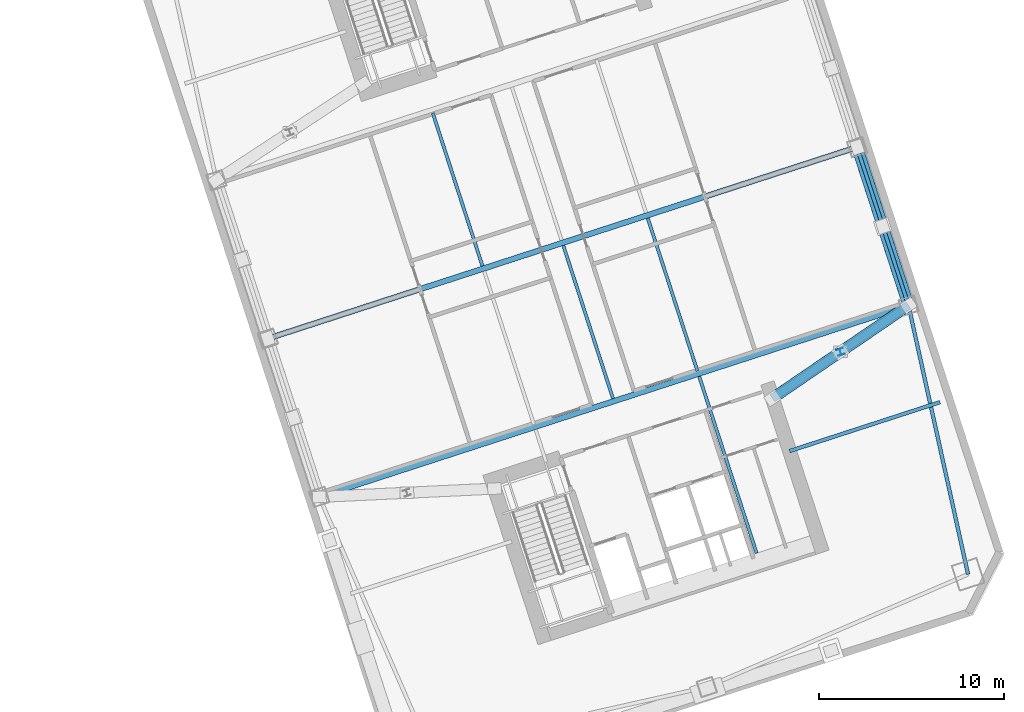
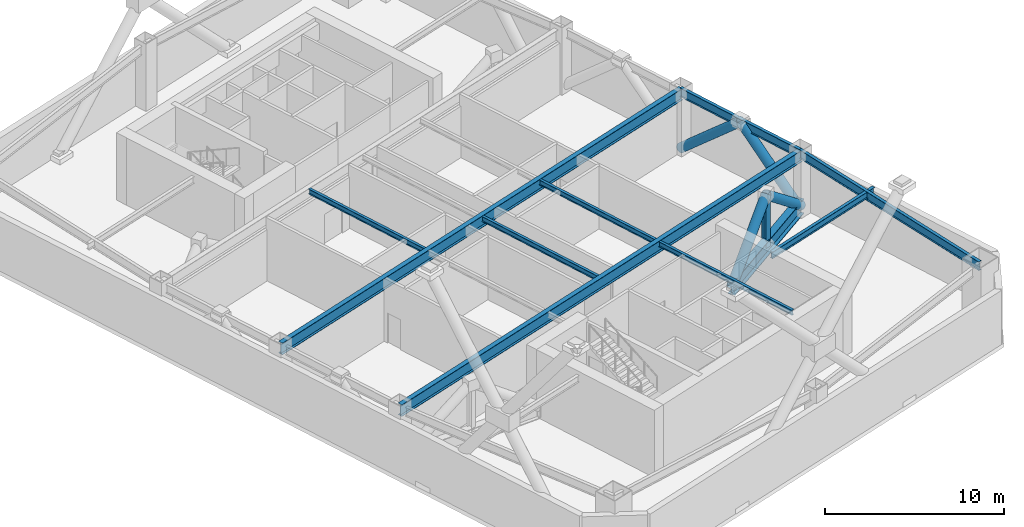
# One storey, part 8 of 19: 10 beams, 5 members.
"""IFC4 building model written with IfcOpenShell, lengths in metres."""

from ifc_helpers import new_model, si_unit, direction, frame, origin, origin_2d, place, context, subcontext, project, spatial, hollow_circle, i_section, extrude, material, material_profile, profile_set, type_object, element, save


model = new_model("IFC4")

# Units and contexts
model_context = context("Model", 3, precision=1e-05, world=origin(), true_north=direction((0.0, 1.0)))
body_context = subcontext(model_context, "Body", "Model", "MODEL_VIEW")
ifc_project = project(units=[si_unit("LENGTHUNIT", "METRE"), si_unit("AREAUNIT", "SQUARE_METRE"), si_unit("VOLUMEUNIT", "CUBIC_METRE"), si_unit("PLANEANGLEUNIT", "RADIAN"), si_unit("MASSUNIT", "GRAM", prefix="KILO")], contexts=[model_context])

# Site, building, storey
site_placement = place(None, origin())
site = spatial("IfcSite", under=ifc_project, at=site_placement, CompositionType="ELEMENT")
building_placement = place(site_placement, origin())
building = spatial("IfcBuilding", under=site, at=building_placement, Name="Qiaolan Cultural Towers", CompositionType="ELEMENT")
storey_placement = place(building_placement, frame((0.0, 0.0, 92.0)))
storey = spatial("IfcBuildingStorey", under=building, at=storey_placement, Name="L23", CompositionType="ELEMENT", Elevation=92.0)

# Beams
ifc_material_1 = material(Name="Steel Q390GJB", Category="steel")
ifc_material_profile_1 = material_profile(ifc_material_1, i_section(OverallWidth=0.449951171875, OverallDepth=1.0, WebThickness=0.02392578125, FlangeThickness=0.0400390625, at=origin_2d()), Name="BH1000x450x24x40")
ifc_profile_set_1 = profile_set([ifc_material_profile_1], Name="Steel Q390GJB")
beam_type_1 = type_object("IfcBeamType", Name="BM-BH1000x450x24x40", PredefinedType="BEAM", material=ifc_profile_set_1)
beam_1_placement = place(storey_placement, frame((101.352294921875, 25.5966796875, 0.5), z_axis=(0.826113100002, 0.563504344264, 0.0), x_axis=(-0.563504344264, 0.826113100002, 0.0)))
element("IfcBeam", 1, at=beam_1_placement, inside=storey, type_object=beam_type_1, Name="L23 T2 Outrigger Bottom Chord Girder ES", PredefinedType="BEAM", context=body_context, shape_type="SweptSolid", body=[
    extrude(i_section(OverallWidth=0.449951171875, OverallDepth=1.0, WebThickness=0.02392578125, FlangeThickness=0.0400390625, at=origin_2d()), origin(), (0.0, 0.0, 1.0), 8.908203125),
])
ifc_material_2 = material(Name="Steel Q355B", Category="steel")
ifc_material_profile_2 = material_profile(ifc_material_2, i_section(OverallWidth=0.300048828125, OverallDepth=0.800048828125, WebThickness=0.013916015625, FlangeThickness=0.02587890625, at=origin_2d()), Name="HN800x300x14x26")
ifc_profile_set_2 = profile_set([ifc_material_profile_2], Name="Steel Q355B")
beam_type_2 = type_object("IfcBeamType", Name="BM-HN800x300x14x26", PredefinedType="BEAM", material=ifc_profile_set_2)
for number, where, z_axis, x_axis, name in (
    (2, (76.85107421875, 20.264404296875, 3.93994140625), (0.951056559899, 0.309016860175, 0.0), (-0.309016860175, 0.951056559899, 0.0), "L23 T2 Primary Transverse Girder V1"),
    (3, (74.06982421875, 28.823974609375, 3.93994140625), (0.951056559899, 0.309016860175, 0.0), (-0.309016860175, 0.951056559899, 0.0), "L23 T2 Primary Transverse Girder V2"),
):
    element("IfcBeam", number, at=place(storey_placement, frame(where, z_axis=z_axis, x_axis=x_axis)), inside=storey, type_object=beam_type_2, Name=name, PredefinedType="BEAM", context=body_context, shape_type="SweptSolid", body=[
        extrude(i_section(OverallWidth=0.300048828125, OverallDepth=0.800048828125, WebThickness=0.013916015625, FlangeThickness=0.02587890625, at=origin_2d()), origin(), (0.0, 0.0, 1.0), 33.5),
    ])
ifc_material_3 = material(Name="Steel Q355B", Category="steel")
ifc_material_profile_3 = material_profile(ifc_material_3, i_section(OverallWidth=0.175048828125, OverallDepth=0.35009765625, WebThickness=0.007080078125, FlangeThickness=0.010986328125, at=origin_2d()), Name="HN350x175x7x11")
ifc_profile_set_3 = profile_set([ifc_material_profile_3], Name="Steel Q355B")
beam_type_3 = type_object("IfcBeamType", Name="BM-JST-HN350x175x7x11", PredefinedType="JOIST", material=ifc_profile_set_3)
for number, where, z_axis, x_axis, name in (
    (4, (85.673828125, 32.752197265625, 4.1650390625), (-0.309020714809, 0.951055307445, 0.0), (-0.951055307445, -0.309020714809, 0.0), "L23 T2 Secondary Floor Joist U1-3"),
    (5, (92.73486328125, 25.583251953125, 4.1650390625), (-0.309020714809, 0.951055307445, 0.0), (-0.951055307445, -0.309020714809, 0.0), "L23 T2 Secondary Floor Joist U2-2"),
):
    element("IfcBeam", number, at=place(storey_placement, frame(where, z_axis=z_axis, x_axis=x_axis)), inside=storey, type_object=beam_type_3, Name=name, PredefinedType="JOIST", context=body_context, shape_type="SweptSolid", body=[
        extrude(i_section(OverallWidth=0.175048828125, OverallDepth=0.35009765625, WebThickness=0.007080078125, FlangeThickness=0.010986328125, at=origin_2d()), origin(), (0.0, 0.0, 1.0), 8.699951171875),
    ])
beam_2_placement = place(storey_placement, frame((100.498291015625, 17.222900390625, 4.1650390625), z_axis=(-0.309025649293, 0.951053704098, 0.0), x_axis=(-0.951053704098, -0.309025649293, 0.0)))
element("IfcBeam", 6, at=beam_2_placement, inside=storey, type_object=beam_type_3, Name="L23 T2 Secondary Floor Joist U3-1", PredefinedType="JOIST", context=body_context, shape_type="SweptSolid", body=[
    extrude(i_section(OverallWidth=0.175048828125, OverallDepth=0.35009765625, WebThickness=0.007080078125, FlangeThickness=0.010986328125, at=origin_2d()), origin(), (0.0, 0.0, 1.0), 10.050048828125),
])
beam_3_placement = place(storey_placement, frame((97.2998046875, 27.06640625, 4.1650390625), z_axis=(-0.309020714809, 0.951055307445, 0.0), x_axis=(-0.951055307445, -0.309020714809, 0.0)))
element("IfcBeam", 7, at=beam_3_placement, inside=storey, type_object=beam_type_3, Name="L23 T2 Secondary Floor Joist U3-2", PredefinedType="JOIST", context=body_context, shape_type="SweptSolid", body=[
    extrude(i_section(OverallWidth=0.175048828125, OverallDepth=0.35009765625, WebThickness=0.007080078125, FlangeThickness=0.010986328125, at=origin_2d()), origin(), (0.0, 0.0, 1.0), 8.699951171875),
])
ifc_material_4 = material(Name="Steel Q355B", Category="steel")
ifc_material_profile_4 = material_profile(ifc_material_4, i_section(OverallWidth=0.199951171875, OverallDepth=0.449951171875, WebThickness=0.009033203125, FlangeThickness=0.013916015625, at=origin_2d()), Name="HN450x200x9x14")
ifc_profile_set_4 = profile_set([ifc_material_profile_4], Name="Steel Q355B")
beam_type_4 = type_object("IfcBeamType", Name="BM-LNT-HN450x200x9x14", PredefinedType="LINTEL", material=ifc_profile_set_4)
beam_4_placement = place(storey_placement, frame((102.279296875, 22.74365234375, 4.114990234375), z_axis=(0.951057358187, 0.309014403287, 0.0), x_axis=(-0.309014403287, 0.951057358187, 0.0)))
element("IfcBeam", 8, at=beam_4_placement, inside=storey, type_object=beam_type_4, Name="L23 T2 Core Flank Tie Lintel ES", PredefinedType="LINTEL", context=body_context, shape_type="SweptSolid", body=[
    extrude(i_section(OverallWidth=0.199951171875, OverallDepth=0.449951171875, WebThickness=0.009033203125, FlangeThickness=0.013916015625, at=origin_2d()), origin(), (0.0, 0.0, 1.0), 8.550048828125),
])
ifc_material_5 = material(Name="Steel Q355B", Category="steel")
ifc_material_profile_5 = material_profile(ifc_material_5, i_section(OverallWidth=0.199951171875, OverallDepth=0.60009765625, WebThickness=0.010986328125, FlangeThickness=0.01708984375, at=origin_2d()), Name="HN600x200x11x17")
ifc_profile_set_5 = profile_set([ifc_material_profile_5], Name="Steel Q355B")
beam_type_5 = type_object("IfcBeamType", Name="BM-SPD-HN600x200x11x17", PredefinedType="SPANDREL", material=ifc_profile_set_5)
beam_5_placement = place(storey_placement, frame((111.930908203125, 16.080078125, 4.0400390625), z_axis=(-0.216237644833, 0.976340760676, 0.0), x_axis=(-0.976340760676, -0.216237644833, 0.0)))
element("IfcBeam", 9, at=beam_5_placement, inside=storey, type_object=beam_type_5, Name="L23 T2 Perimeter Spandrel Beam 3", PredefinedType="SPANDREL", context=body_context, shape_type="SweptSolid", body=[
    extrude(i_section(OverallWidth=0.199951171875, OverallDepth=0.60009765625, WebThickness=0.010986328125, FlangeThickness=0.01708984375, at=origin_2d()), origin(), (0.0, 0.0, 1.0), 14.888671875),
])
beam_6_placement = place(storey_placement, frame((108.71142578125, 30.616455078125, 4.0400390625), z_axis=(-0.309024734286, 0.951054001411, 0.0), x_axis=(-0.951054001411, -0.309024734286, 0.0)))
element("IfcBeam", 10, at=beam_6_placement, inside=storey, type_object=beam_type_5, Name="L23 T2 Perimeter Spandrel Beam 4", PredefinedType="SPANDREL", context=body_context, shape_type="SweptSolid", body=[
    extrude(i_section(OverallWidth=0.199951171875, OverallDepth=0.60009765625, WebThickness=0.010986328125, FlangeThickness=0.01708984375, at=origin_2d()), origin(), (0.0, 0.0, 1.0), 9.0),
])

# Members
ifc_material_6 = material(Name="Steel Q355B", Category="steel")
ifc_material_profile_6 = material_profile(ifc_material_6, hollow_circle(Radius=0.300048828125, WallThickness=0.030029296875, at=origin_2d()), Name="CHS600x30")
ifc_profile_set_6 = profile_set([ifc_material_profile_6], Name="Steel Q355B")
member_type_1 = type_object("IfcMemberType", Name="MBR-BRC-CHS600x30", PredefinedType="BRACE", material=ifc_profile_set_6)
for number, where, z_axis, x_axis, name in (
    (11, (101.352294921875, 25.5966796875, 0.5), (0.648125000844, 0.442132116892, 0.620042881174), (-0.563535806189, 0.826091638466, 0.0), "L23 T2 Outrigger Truss Diagonal ES-1"),
    (12, (105.03173828125, 28.106689453125, 4.02001953125), (0.648162262587, 0.442085195024, -0.62003738734), (-0.563472881975, 0.826134560032, 0.0), "L23 T2 Outrigger Truss Diagonal ES-2"),
):
    element("IfcMember", number, at=place(storey_placement, frame(where, z_axis=z_axis, x_axis=x_axis)), inside=storey, type_object=member_type_1, Name=name, PredefinedType="BRACE", context=body_context, shape_type="SweptSolid", body=[
        extrude(hollow_circle(Radius=0.300048828125, WallThickness=0.030029296875, at=origin_2d()), origin(), (0.0, 0.0, 1.0), 5.677001953125),
    ])
for number, where, z_axis, x_axis, name in (
    (13, (108.71142578125, 30.616455078125, 0.199951171875), (-0.233010051245, 0.717111340999, 0.656854352676), (-0.951054001411, -0.309024734286, 0.0), "L23 T2 Perimeter Belt Truss E1-A"),
    (14, (107.32080078125, 34.896240234375, 4.1201171875), (-0.233010051245, 0.717111340999, -0.656854352676), (-0.951054001411, -0.309024734286, 0.0), "L23 T2 Perimeter Belt Truss E1-B"),
):
    element("IfcMember", number, at=place(storey_placement, frame(where, z_axis=z_axis, x_axis=x_axis)), inside=storey, type_object=member_type_1, Name=name, PredefinedType="BRACE", context=body_context, shape_type="SweptSolid", body=[
        extrude(hollow_circle(Radius=0.300048828125, WallThickness=0.030029296875, at=origin_2d()), origin(), (0.0, 0.0, 1.0), 5.968017578125),
    ])
ifc_material_7 = material(Name="Steel Q355B", Category="steel")
ifc_material_profile_7 = material_profile(ifc_material_7, i_section(OverallWidth=0.35009765625, OverallDepth=0.35009765625, WebThickness=0.011962890625, FlangeThickness=0.01904296875, at=origin_2d()), Name="HW350x350x12x19")
ifc_profile_set_7 = profile_set([ifc_material_profile_7], Name="Steel Q355B")
member_type_2 = type_object("IfcMemberType", Name="MBR-POST-HW350x350x12x19", PredefinedType="STUD", material=ifc_profile_set_7)
member_placement = place(storey_placement, frame((105.03173828125, 28.106689453125, 0.5), z_axis=(0.0, 0.0, 1.0), x_axis=(0.951056516295, 0.309016994375, 0.0)))
element("IfcMember", 15, at=member_placement, inside=storey, type_object=member_type_2, Name="L23 T2 Outrigger King Web ES", PredefinedType="STUD", context=body_context, shape_type="SweptSolid", body=[
    extrude(i_section(OverallWidth=0.35009765625, OverallDepth=0.35009765625, WebThickness=0.011962890625, FlangeThickness=0.01904296875, at=origin_2d()), origin(), (0.0, 0.0, 1.0), 3.52001953125),
])

save(model, "model.ifc")
